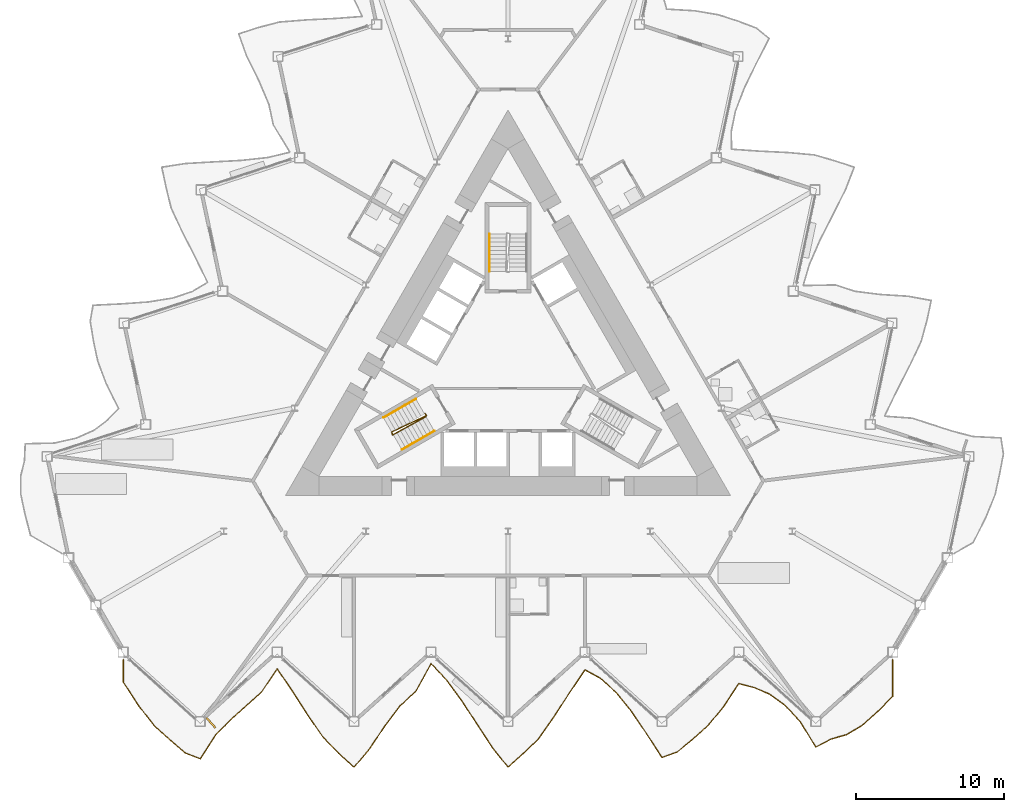
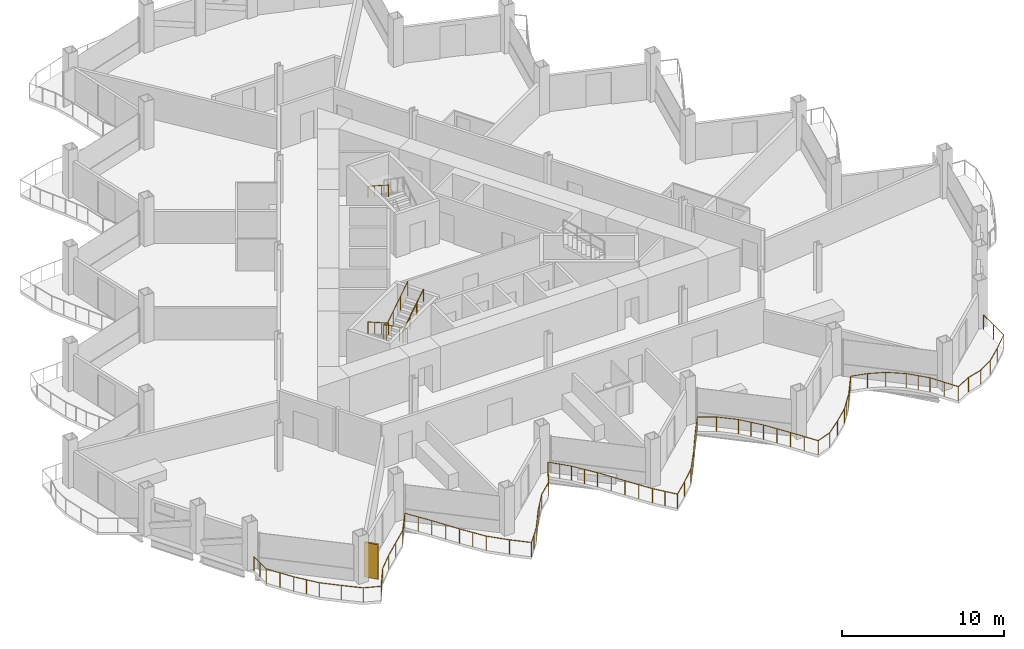
# One storey, part 19 of 24: 5 railings, 1 shading device.
"""IFC4 building model written with IfcOpenShell, lengths in metres."""

from ifc_helpers import new_model, si_unit, direction, frame, origin, origin_2d, place, context, subcontext, project, spatial, rectangle, circle, extrude, material, layer, layer_set, type_object, element, save


model = new_model("IFC4")

# Units and contexts
model_context = context("Model", 3, precision=1e-05, world=origin(), true_north=direction((0.0, 1.0)))
body_context = subcontext(model_context, "Body", "Model", "MODEL_VIEW")
ifc_project = project(units=[si_unit("LENGTHUNIT", "METRE"), si_unit("AREAUNIT", "SQUARE_METRE"), si_unit("VOLUMEUNIT", "CUBIC_METRE"), si_unit("PLANEANGLEUNIT", "RADIAN"), si_unit("MASSUNIT", "GRAM", prefix="KILO")], contexts=[model_context])

# Site, building, storey
site_placement = place(None, origin())
site = spatial("IfcSite", under=ifc_project, at=site_placement, CompositionType="ELEMENT")
building_placement = place(site_placement, origin())
building = spatial("IfcBuilding", under=site, at=building_placement, Name="Cormorant Prow Tower", CompositionType="ELEMENT")
storey_placement = place(building_placement, frame((0.0, 0.0, 270.60009765625)))
storey = spatial("IfcBuildingStorey", under=building, at=storey_placement, Name="L61", CompositionType="ELEMENT", Elevation=270.60009765625)

# Railings
ifc_material_1 = material(Name="Aluminium 6063-T6", Category="aluminium")
railing_type_1 = type_object("IfcRailingType", Name="Balcony guard 1100", PredefinedType="GUARDRAIL", material=ifc_material_1)
railing_1_placement = place(storey_placement, frame((-25.926025390625, -19.7265625, 0.0)))
element("IfcRailing", 1, at=railing_1_placement, inside=storey, type_object=railing_type_1, Name="Balcony guard S", PredefinedType="GUARDRAIL", context=body_context, shape_type="SweptSolid", body=[
    extrude(circle(Radius=0.02392578125, at=origin_2d()), frame((0.0, 0.0, 1.076171875), z_axis=(0.0, -1.0, 0.0), x_axis=(1.0, 0.0, 0.0)), (0.0, 0.0, 1.0), 1.52001953125),
    extrude(circle(Radius=0.02392578125, at=origin_2d()), frame((0.0, -1.52001953125, 1.076171875), z_axis=(0.547541043891, -0.836778826964, 0.0), x_axis=(0.836778826964, 0.547541043891, 0.0)), (0.0, 0.0, 1.0), 1.89404296875),
    extrude(circle(Radius=0.02392578125, at=origin_2d()), frame((1.037109375, -3.10498046875, 1.076171875), z_axis=(0.614110780822, -0.789219835584, 0.0), x_axis=(0.789219835584, 0.614110780822, 0.0)), (0.0, 0.0, 1.0), 1.6884765625),
    extrude(circle(Radius=0.02392578125, at=origin_2d()), frame((2.073974609375, -4.4375, 1.076171875), z_axis=(0.74313755135, -0.669138685008, 0.0), x_axis=(0.669138685008, 0.74313755135, 0.0)), (0.0, 0.0, 1.0), 1.3955078125),
    extrude(circle(Radius=0.02392578125, at=origin_2d()), frame((3.111083984375, -5.371337890625, 1.076171875), z_axis=(0.755213748372, -0.655478599399, 0.0), x_axis=(0.655478599399, 0.755213748372, 0.0)), (0.0, 0.0, 1.0), 1.373291015625),
    extrude(circle(Radius=0.02392578125, at=origin_2d()), frame((4.148193359375, -6.271484375, 1.076171875), z_axis=(0.931262185071, -0.364349753199, 0.0), x_axis=(0.364349753199, 0.931262185071, 0.0)), (0.0, 0.0, 1.0), 1.11376953125),
    extrude(circle(Radius=0.02392578125, at=origin_2d()), frame((5.185302734375, -6.67724609375, 1.076171875), z_axis=(0.542758382766, 0.83988888428, 0.0), x_axis=(-0.83988888428, 0.542758382766, 0.0)), (0.0, 0.0, 1.0), 1.910400390625),
    extrude(circle(Radius=0.02392578125, at=origin_2d()), frame((6.22216796875, -5.07275390625, 1.076171875), z_axis=(0.702213483406, 0.711966448453, 0.0), x_axis=(-0.711966448453, 0.702213483406, 0.0)), (0.0, 0.0, 1.0), 1.476806640625),
    extrude(circle(Radius=0.02392578125, at=origin_2d()), frame((7.25927734375, -4.021240234375, 1.076171875), z_axis=(0.74313755135, 0.669138685008, 0.0), x_axis=(-0.669138685008, 0.74313755135, 0.0)), (0.0, 0.0, 1.0), 1.3955078125),
    extrude(circle(Radius=0.02392578125, at=origin_2d()), frame((8.29638671875, -3.08740234375, 1.076171875), z_axis=(0.743146215582, 0.669129062488, 0.0), x_axis=(-0.669129062488, 0.743146215582, 0.0)), (0.0, 0.0, 1.0), 1.395263671875),
    extrude(circle(Radius=0.02392578125, at=origin_2d()), frame((9.333251953125, -2.15380859375, 1.076171875), z_axis=(0.560288076528, 0.828297815583, 0.0), x_axis=(-0.828297815583, 0.560288076528, 0.0)), (0.0, 0.0, 1.0), 1.85107421875),
    extrude(circle(Radius=0.02392578125, at=origin_2d()), frame((10.370361328125, -0.62060546875, 1.076171875), z_axis=(0.564226721732, -0.825619892253, 0.0), x_axis=(0.825619892253, 0.564226721732, 0.0)), (0.0, 0.0, 1.0), 1.838134765625),
    extrude(circle(Radius=0.02392578125, at=origin_2d()), frame((11.407470703125, -2.13818359375, 1.076171875), z_axis=(0.54151117577, -0.840693550895, 0.0), x_axis=(0.840693550895, 0.54151117577, 0.0)), (0.0, 0.0, 1.0), 1.915283203125),
    extrude(circle(Radius=0.02392578125, at=origin_2d()), frame((12.444580078125, -3.748291015625, 1.076171875), z_axis=(0.567492498185, -0.823378566945, 0.0), x_axis=(0.823378566945, 0.567492498185, 0.0)), (0.0, 0.0, 1.0), 1.8271484375),
    extrude(circle(Radius=0.02392578125, at=origin_2d()), frame((13.4814453125, -5.252685546875, 1.076171875), z_axis=(0.701965595228, -0.712210855798, 0.0), x_axis=(0.712210855798, 0.701965595228, 0.0)), (0.0, 0.0, 1.0), 1.4775390625),
    extrude(circle(Radius=0.02392578125, at=origin_2d()), frame((14.5185546875, -6.304931640625, 1.076171875), z_axis=(0.74313755135, -0.669138685008, 0.0), x_axis=(0.669138685008, 0.74313755135, 0.0)), (0.0, 0.0, 1.0), 1.3955078125),
    extrude(circle(Radius=0.02392578125, at=origin_2d()), frame((15.5556640625, -7.23876953125, 1.076171875), z_axis=(0.647382895173, 0.762164934275, 0.0), x_axis=(-0.762164934275, 0.647382895173, 0.0)), (0.0, 0.0, 1.0), 1.6015625),
    extrude(circle(Radius=0.02392578125, at=origin_2d()), frame((16.592529296875, -6.01806640625, 1.076171875), z_axis=(0.553316739633, 0.832970939254, 0.0), x_axis=(-0.832970939254, 0.553316739633, 0.0)), (0.0, 0.0, 1.0), 1.874267578125),
    extrude(circle(Radius=0.02392578125, at=origin_2d()), frame((17.629638671875, -4.456787109375, 1.076171875), z_axis=(0.60374549144, 0.797177133118, 0.0), x_axis=(-0.797177133118, 0.60374549144, 0.0)), (0.0, 0.0, 1.0), 1.7177734375),
    extrude(circle(Radius=0.02392578125, at=origin_2d()), frame((18.666748046875, -3.08740234375, 1.076171875), z_axis=(0.743146215582, 0.669129062488, 0.0), x_axis=(-0.669129062488, 0.743146215582, 0.0)), (0.0, 0.0, 1.0), 1.395263671875),
    extrude(circle(Radius=0.02392578125, at=origin_2d()), frame((19.70361328125, -2.15380859375, 1.076171875), z_axis=(0.48242873461, 0.875935223645, 0.0), x_axis=(-0.875935223645, 0.48242873461, 0.0)), (0.0, 0.0, 1.0), 2.149658203125),
    extrude(circle(Radius=0.02392578125, at=origin_2d()), frame((20.74072265625, -0.270751953125, 1.076171875), z_axis=(0.688148934059, -0.725569462253, 0.0), x_axis=(0.725569462253, 0.688148934059, 0.0)), (0.0, 0.0, 1.0), 1.507080078125),
    extrude(circle(Radius=0.02392578125, at=origin_2d()), frame((21.77783203125, -1.3642578125, 1.076171875), z_axis=(0.5918105085, -0.806077119157, 0.0), x_axis=(0.806077119157, 0.5918105085, 0.0)), (0.0, 0.0, 1.0), 1.75244140625),
    extrude(circle(Radius=0.02392578125, at=origin_2d()), frame((22.81494140625, -2.77685546875, 1.076171875), z_axis=(0.545859970661, -0.837876418352, 0.0), x_axis=(0.837876418352, 0.545859970661, 0.0)), (0.0, 0.0, 1.0), 1.8994140625),
    extrude(circle(Radius=0.02392578125, at=origin_2d()), frame((23.851806640625, -4.368408203125, 1.076171875), z_axis=(0.549317217459, -0.83561390283, 0.0), x_axis=(0.83561390283, 0.549317217459, 0.0)), (0.0, 0.0, 1.0), 1.887939453125),
    extrude(circle(Radius=0.02392578125, at=origin_2d()), frame((24.888916015625, -5.946044921875, 1.076171875), z_axis=(0.625772329513, -0.780005763835, 0.0), x_axis=(0.780005763835, 0.625772329513, 0.0)), (0.0, 0.0, 1.0), 1.6572265625),
    extrude(circle(Radius=0.02392578125, at=origin_2d()), frame((25.926025390625, -7.23876953125, 1.076171875), z_axis=(0.74313755135, 0.669138685008, 0.0), x_axis=(-0.669138685008, 0.74313755135, 0.0)), (0.0, 0.0, 1.0), 1.3955078125),
    extrude(circle(Radius=0.02392578125, at=origin_2d()), frame((26.963134765625, -6.304931640625, 1.076171875), z_axis=(0.721478951777, 0.692436366854, 0.0), x_axis=(-0.692436366854, 0.721478951777, 0.0)), (0.0, 0.0, 1.0), 1.4375),
    extrude(circle(Radius=0.02392578125, at=origin_2d()), frame((28.000244140625, -5.3095703125, 1.076171875), z_axis=(0.574487760884, 0.818513171912, 0.0), x_axis=(-0.818513171912, 0.574487760884, 0.0)), (0.0, 0.0, 1.0), 1.804931640625),
    extrude(circle(Radius=0.02392578125, at=origin_2d()), frame((29.037109375, -3.832275390625, 1.076171875), z_axis=(0.542150125271, 0.840281644253, 0.0), x_axis=(-0.840281644253, 0.542150125271, 0.0)), (0.0, 0.0, 1.0), 1.912841796875),
    extrude(circle(Radius=0.02392578125, at=origin_2d()), frame((30.07421875, -2.224853515625, 1.076171875), z_axis=(0.558456401722, 0.829533873556, 0.0), x_axis=(-0.829533873556, 0.558456401722, 0.0)), (0.0, 0.0, 1.0), 1.857177734375),
    extrude(circle(Radius=0.02392578125, at=origin_2d()), frame((31.111328125, -0.684326171875, 1.076171875), z_axis=(0.875727979387, -0.482804832327, 0.0), x_axis=(0.482804832327, 0.875727979387, 0.0)), (0.0, 0.0, 1.0), 1.184326171875),
    extrude(circle(Radius=0.02392578125, at=origin_2d()), frame((32.1484375, -1.256103515625, 1.076171875), z_axis=(0.747069541914, -0.664745890957, 0.0), x_axis=(0.664745890957, 0.747069541914, 0.0)), (0.0, 0.0, 1.0), 1.387939453125),
    extrude(circle(Radius=0.02392578125, at=origin_2d()), frame((33.185302734375, -2.1787109375, 1.076171875), z_axis=(0.630614979634, -0.776095836518, 0.0), x_axis=(0.776095836518, 0.630614979634, 0.0)), (0.0, 0.0, 1.0), 1.64453125),
    extrude(circle(Radius=0.02392578125, at=origin_2d()), frame((34.222412109375, -3.455078125, 1.076171875), z_axis=(0.561023343605, -0.82779998063, 0.0), x_axis=(0.82779998063, 0.561023343605, 0.0)), (0.0, 0.0, 1.0), 1.8486328125),
    extrude(circle(Radius=0.02392578125, at=origin_2d()), frame((35.259521484375, -4.9853515625, 1.076171875), z_axis=(0.541653272519, -0.840602005927, 0.0), x_axis=(0.840602005927, 0.541653272519, 0.0)), (0.0, 0.0, 1.0), 1.914306640625),
    extrude(circle(Radius=0.02392578125, at=origin_2d()), frame((36.29638671875, -6.594482421875, 1.076171875), z_axis=(0.939774044394, 0.341796350892, 0.0), x_axis=(-0.341796350892, 0.939774044394, 0.0)), (0.0, 0.0, 1.0), 1.103515625),
    extrude(circle(Radius=0.02392578125, at=origin_2d()), frame((37.33349609375, -6.21728515625, 1.076171875), z_axis=(0.774907342809, 0.6320748453, 0.0), x_axis=(-0.6320748453, 0.774907342809, 0.0)), (0.0, 0.0, 1.0), 1.33837890625),
    extrude(circle(Radius=0.02392578125, at=origin_2d()), frame((38.37060546875, -5.371337890625, 1.076171875), z_axis=(0.743059208084, 0.669225681875, 0.0), x_axis=(-0.669225681875, 0.743059208084, 0.0)), (0.0, 0.0, 1.0), 1.3955078125),
    extrude(circle(Radius=0.02392578125, at=origin_2d()), frame((39.407470703125, -4.4375, 1.076171875), z_axis=(0.635948602471, 0.77173141378, 0.0), x_axis=(-0.77173141378, 0.635948602471, 0.0)), (0.0, 0.0, 1.0), 1.630859375),
    extrude(circle(Radius=0.02392578125, at=origin_2d()), frame((40.444580078125, -3.178955078125, 1.076171875), z_axis=(0.551102441213, 0.834437594605, 0.0), x_axis=(-0.834437594605, 0.551102441213, 0.0)), (0.0, 0.0, 1.0), 1.8818359375),
    extrude(circle(Radius=0.02392578125, at=origin_2d()), frame((41.481689453125, -1.608642578125, 1.076171875), z_axis=(0.967459880376, -0.253024464948, 0.0), x_axis=(0.253024464948, 0.967459880376, 0.0)), (0.0, 0.0, 1.0), 1.072021484375),
    extrude(circle(Radius=0.02392578125, at=origin_2d()), frame((42.518798828125, -1.8798828125, 1.076171875), z_axis=(0.920796597535, -0.390043107833, 0.0), x_axis=(0.390043107833, 0.920796597535, 0.0)), (0.0, 0.0, 1.0), 1.1259765625),
    extrude(circle(Radius=0.02392578125, at=origin_2d()), frame((43.5556640625, -2.319091796875, 1.076171875), z_axis=(0.809501760751, -0.587117449358, 0.0), x_axis=(0.587117449358, 0.809501760751, 0.0)), (0.0, 0.0, 1.0), 1.28125),
    extrude(circle(Radius=0.02392578125, at=origin_2d()), frame((44.5927734375, -3.0712890625, 1.076171875), z_axis=(0.680033456826, -0.733181081041, 0.0), x_axis=(0.733181081041, 0.680033456826, 0.0)), (0.0, 0.0, 1.0), 1.525146484375),
    extrude(circle(Radius=0.02392578125, at=origin_2d()), frame((45.6298828125, -4.189453125, 1.076171875), z_axis=(0.520884337914, -0.853627264394, 0.0), x_axis=(0.853627264394, 0.520884337914, 0.0)), (0.0, 0.0, 1.0), 1.990478515625),
    extrude(circle(Radius=0.02392578125, at=origin_2d()), frame((46.666748046875, -5.888671875, 1.076171875), z_axis=(0.887127885549, 0.461523688104, 0.0), x_axis=(-0.461523688104, 0.887127885549, 0.0)), (0.0, 0.0, 1.0), 1.1689453125),
    extrude(circle(Radius=0.02392578125, at=origin_2d()), frame((47.703857421875, -5.34912109375, 1.076171875), z_axis=(0.961087325706, 0.276244732742, 0.0), x_axis=(-0.276244732742, 0.961087325706, 0.0)), (0.0, 0.0, 1.0), 1.0791015625),
    extrude(circle(Radius=0.02392578125, at=origin_2d()), frame((48.740966796875, -5.051025390625, 1.076171875), z_axis=(0.860676345197, 0.509152461271, 0.0), x_axis=(-0.509152461271, 0.860676345197, 0.0)), (0.0, 0.0, 1.0), 1.205078125),
    extrude(circle(Radius=0.02392578125, at=origin_2d()), frame((49.778076171875, -4.4375, 1.076171875), z_axis=(0.743059208084, 0.669225681875, 0.0), x_axis=(-0.669225681875, 0.743059208084, 0.0)), (0.0, 0.0, 1.0), 1.3955078125),
    extrude(circle(Radius=0.02392578125, at=origin_2d()), frame((50.81494140625, -3.503662109375, 1.076171875), z_axis=(0.711280362901, 0.702908418893, 0.0), x_axis=(-0.702908418893, 0.711280362901, 0.0)), (0.0, 0.0, 1.0), 1.4580078125),
    extrude(circle(Radius=0.02392578125, at=origin_2d()), frame((51.85205078125, -2.478759765625, 1.076171875), z_axis=(0.0, 1.0, 0.0), x_axis=(-1.0, 0.0, 0.0)), (0.0, 0.0, 1.0), 2.478759765625),
    extrude(circle(Radius=0.02099609375, at=origin_2d()), origin(), (0.0, 0.0, 1.0), 1.052001953125),
    extrude(circle(Radius=0.02099609375, at=origin_2d()), frame((0.0, -0.760009765625, 0.0)), (0.0, 0.0, 1.0), 1.052001953125),
    extrude(circle(Radius=0.02099609375, at=origin_2d()), frame((0.0, -1.52001953125, 0.0)), (0.0, 0.0, 1.0), 1.052001953125),
    extrude(circle(Radius=0.02099609375, at=origin_2d()), frame((0.5185546875, -2.3125, 0.0)), (0.0, 0.0, 1.0), 1.052001953125),
    extrude(circle(Radius=0.02099609375, at=origin_2d()), frame((1.037109375, -3.10498046875, 0.0)), (0.0, 0.0, 1.0), 1.052001953125),
    extrude(circle(Radius=0.02099609375, at=origin_2d()), frame((1.5556640625, -3.771240234375, 0.0)), (0.0, 0.0, 1.0), 1.052001953125),
    extrude(circle(Radius=0.02099609375, at=origin_2d()), frame((2.073974609375, -4.4375, 0.0)), (0.0, 0.0, 1.0), 1.052001953125),
    extrude(circle(Radius=0.02099609375, at=origin_2d()), frame((3.111083984375, -5.371337890625, 0.0)), (0.0, 0.0, 1.0), 1.052001953125),
    extrude(circle(Radius=0.02099609375, at=origin_2d()), frame((4.148193359375, -6.271484375, 0.0)), (0.0, 0.0, 1.0), 1.052001953125),
    extrude(circle(Radius=0.02099609375, at=origin_2d()), frame((5.185302734375, -6.67724609375, 0.0)), (0.0, 0.0, 1.0), 1.052001953125),
    extrude(circle(Radius=0.02099609375, at=origin_2d()), frame((5.70361328125, -5.875, 0.0)), (0.0, 0.0, 1.0), 1.052001953125),
    extrude(circle(Radius=0.02099609375, at=origin_2d()), frame((6.22216796875, -5.07275390625, 0.0)), (0.0, 0.0, 1.0), 1.052001953125),
    extrude(circle(Radius=0.02099609375, at=origin_2d()), frame((7.25927734375, -4.021240234375, 0.0)), (0.0, 0.0, 1.0), 1.052001953125),
    extrude(circle(Radius=0.02099609375, at=origin_2d()), frame((8.29638671875, -3.08740234375, 0.0)), (0.0, 0.0, 1.0), 1.052001953125),
    extrude(circle(Radius=0.02099609375, at=origin_2d()), frame((9.333251953125, -2.15380859375, 0.0)), (0.0, 0.0, 1.0), 1.052001953125),
    extrude(circle(Radius=0.02099609375, at=origin_2d()), frame((9.851806640625, -1.38720703125, 0.0)), (0.0, 0.0, 1.0), 1.052001953125),
    extrude(circle(Radius=0.02099609375, at=origin_2d()), frame((10.370361328125, -0.62060546875, 0.0)), (0.0, 0.0, 1.0), 1.052001953125),
    extrude(circle(Radius=0.02099609375, at=origin_2d()), frame((10.888916015625, -1.37939453125, 0.0)), (0.0, 0.0, 1.0), 1.052001953125),
    extrude(circle(Radius=0.02099609375, at=origin_2d()), frame((11.407470703125, -2.13818359375, 0.0)), (0.0, 0.0, 1.0), 1.052001953125),
    extrude(circle(Radius=0.02099609375, at=origin_2d()), frame((11.926025390625, -2.943359375, 0.0)), (0.0, 0.0, 1.0), 1.052001953125),
    extrude(circle(Radius=0.02099609375, at=origin_2d()), frame((12.444580078125, -3.748291015625, 0.0)), (0.0, 0.0, 1.0), 1.052001953125),
    extrude(circle(Radius=0.02099609375, at=origin_2d()), frame((12.962890625, -4.50048828125, 0.0)), (0.0, 0.0, 1.0), 1.052001953125),
    extrude(circle(Radius=0.02099609375, at=origin_2d()), frame((13.4814453125, -5.252685546875, 0.0)), (0.0, 0.0, 1.0), 1.052001953125),
    extrude(circle(Radius=0.02099609375, at=origin_2d()), frame((14.5185546875, -6.304931640625, 0.0)), (0.0, 0.0, 1.0), 1.052001953125),
    extrude(circle(Radius=0.02099609375, at=origin_2d()), frame((15.5556640625, -7.23876953125, 0.0)), (0.0, 0.0, 1.0), 1.052001953125),
    extrude(circle(Radius=0.02099609375, at=origin_2d()), frame((16.07421875, -6.62841796875, 0.0)), (0.0, 0.0, 1.0), 1.052001953125),
    extrude(circle(Radius=0.02099609375, at=origin_2d()), frame((16.592529296875, -6.01806640625, 0.0)), (0.0, 0.0, 1.0), 1.052001953125),
    extrude(circle(Radius=0.02099609375, at=origin_2d()), frame((17.111083984375, -5.2373046875, 0.0)), (0.0, 0.0, 1.0), 1.052001953125),
    extrude(circle(Radius=0.02099609375, at=origin_2d()), frame((17.629638671875, -4.456787109375, 0.0)), (0.0, 0.0, 1.0), 1.052001953125),
    extrude(circle(Radius=0.02099609375, at=origin_2d()), frame((18.148193359375, -3.77197265625, 0.0)), (0.0, 0.0, 1.0), 1.052001953125),
    extrude(circle(Radius=0.02099609375, at=origin_2d()), frame((18.666748046875, -3.08740234375, 0.0)), (0.0, 0.0, 1.0), 1.052001953125),
    extrude(circle(Radius=0.02099609375, at=origin_2d()), frame((19.70361328125, -2.15380859375, 0.0)), (0.0, 0.0, 1.0), 1.052001953125),
    extrude(circle(Radius=0.02099609375, at=origin_2d()), frame((20.22216796875, -1.21240234375, 0.0)), (0.0, 0.0, 1.0), 1.052001953125),
    extrude(circle(Radius=0.02099609375, at=origin_2d()), frame((20.74072265625, -0.270751953125, 0.0)), (0.0, 0.0, 1.0), 1.052001953125),
    extrude(circle(Radius=0.02099609375, at=origin_2d()), frame((21.25927734375, -0.8173828125, 0.0)), (0.0, 0.0, 1.0), 1.052001953125),
    extrude(circle(Radius=0.02099609375, at=origin_2d()), frame((21.77783203125, -1.3642578125, 0.0)), (0.0, 0.0, 1.0), 1.052001953125),
    extrude(circle(Radius=0.02099609375, at=origin_2d()), frame((22.29638671875, -2.070556640625, 0.0)), (0.0, 0.0, 1.0), 1.052001953125),
    extrude(circle(Radius=0.02099609375, at=origin_2d()), frame((22.81494140625, -2.77685546875, 0.0)), (0.0, 0.0, 1.0), 1.052001953125),
    extrude(circle(Radius=0.02099609375, at=origin_2d()), frame((23.33349609375, -3.57275390625, 0.0)), (0.0, 0.0, 1.0), 1.052001953125),
    extrude(circle(Radius=0.02099609375, at=origin_2d()), frame((23.851806640625, -4.368408203125, 0.0)), (0.0, 0.0, 1.0), 1.052001953125),
    extrude(circle(Radius=0.02099609375, at=origin_2d()), frame((24.370361328125, -5.1572265625, 0.0)), (0.0, 0.0, 1.0), 1.052001953125),
    extrude(circle(Radius=0.02099609375, at=origin_2d()), frame((24.888916015625, -5.946044921875, 0.0)), (0.0, 0.0, 1.0), 1.052001953125),
    extrude(circle(Radius=0.02099609375, at=origin_2d()), frame((25.407470703125, -6.59228515625, 0.0)), (0.0, 0.0, 1.0), 1.052001953125),
    extrude(circle(Radius=0.02099609375, at=origin_2d()), frame((25.926025390625, -7.23876953125, 0.0)), (0.0, 0.0, 1.0), 1.052001953125),
    extrude(circle(Radius=0.02099609375, at=origin_2d()), frame((26.963134765625, -6.304931640625, 0.0)), (0.0, 0.0, 1.0), 1.052001953125),
    extrude(circle(Radius=0.02099609375, at=origin_2d()), frame((28.000244140625, -5.3095703125, 0.0)), (0.0, 0.0, 1.0), 1.052001953125),
    extrude(circle(Radius=0.02099609375, at=origin_2d()), frame((28.5185546875, -4.57080078125, 0.0)), (0.0, 0.0, 1.0), 1.052001953125),
    extrude(circle(Radius=0.02099609375, at=origin_2d()), frame((29.037109375, -3.832275390625, 0.0)), (0.0, 0.0, 1.0), 1.052001953125),
    extrude(circle(Radius=0.02099609375, at=origin_2d()), frame((29.5556640625, -3.028564453125, 0.0)), (0.0, 0.0, 1.0), 1.052001953125),
    extrude(circle(Radius=0.02099609375, at=origin_2d()), frame((30.07421875, -2.224853515625, 0.0)), (0.0, 0.0, 1.0), 1.052001953125),
    extrude(circle(Radius=0.02099609375, at=origin_2d()), frame((30.5927734375, -1.45458984375, 0.0)), (0.0, 0.0, 1.0), 1.052001953125),
    extrude(circle(Radius=0.02099609375, at=origin_2d()), frame((31.111328125, -0.684326171875, 0.0)), (0.0, 0.0, 1.0), 1.052001953125),
    extrude(circle(Radius=0.02099609375, at=origin_2d()), frame((32.1484375, -1.256103515625, 0.0)), (0.0, 0.0, 1.0), 1.052001953125),
    extrude(circle(Radius=0.02099609375, at=origin_2d()), frame((33.185302734375, -2.1787109375, 0.0)), (0.0, 0.0, 1.0), 1.052001953125),
    extrude(circle(Radius=0.02099609375, at=origin_2d()), frame((33.703857421875, -2.81689453125, 0.0)), (0.0, 0.0, 1.0), 1.052001953125),
    extrude(circle(Radius=0.02099609375, at=origin_2d()), frame((34.222412109375, -3.455078125, 0.0)), (0.0, 0.0, 1.0), 1.052001953125),
    extrude(circle(Radius=0.02099609375, at=origin_2d()), frame((34.740966796875, -4.22021484375, 0.0)), (0.0, 0.0, 1.0), 1.052001953125),
    extrude(circle(Radius=0.02099609375, at=origin_2d()), frame((35.259521484375, -4.9853515625, 0.0)), (0.0, 0.0, 1.0), 1.052001953125),
    extrude(circle(Radius=0.02099609375, at=origin_2d()), frame((35.77783203125, -5.7900390625, 0.0)), (0.0, 0.0, 1.0), 1.052001953125),
    extrude(circle(Radius=0.02099609375, at=origin_2d()), frame((36.29638671875, -6.594482421875, 0.0)), (0.0, 0.0, 1.0), 1.052001953125),
    extrude(circle(Radius=0.02099609375, at=origin_2d()), frame((37.33349609375, -6.21728515625, 0.0)), (0.0, 0.0, 1.0), 1.052001953125),
    extrude(circle(Radius=0.02099609375, at=origin_2d()), frame((38.37060546875, -5.371337890625, 0.0)), (0.0, 0.0, 1.0), 1.052001953125),
    extrude(circle(Radius=0.02099609375, at=origin_2d()), frame((39.407470703125, -4.4375, 0.0)), (0.0, 0.0, 1.0), 1.052001953125),
    extrude(circle(Radius=0.02099609375, at=origin_2d()), frame((39.926025390625, -3.80810546875, 0.0)), (0.0, 0.0, 1.0), 1.052001953125),
    extrude(circle(Radius=0.02099609375, at=origin_2d()), frame((40.444580078125, -3.178955078125, 0.0)), (0.0, 0.0, 1.0), 1.052001953125),
    extrude(circle(Radius=0.02099609375, at=origin_2d()), frame((40.963134765625, -2.393798828125, 0.0)), (0.0, 0.0, 1.0), 1.052001953125),
    extrude(circle(Radius=0.02099609375, at=origin_2d()), frame((41.481689453125, -1.608642578125, 0.0)), (0.0, 0.0, 1.0), 1.052001953125),
    extrude(circle(Radius=0.02099609375, at=origin_2d()), frame((42.518798828125, -1.8798828125, 0.0)), (0.0, 0.0, 1.0), 1.052001953125),
    extrude(circle(Radius=0.02099609375, at=origin_2d()), frame((43.5556640625, -2.319091796875, 0.0)), (0.0, 0.0, 1.0), 1.052001953125),
    extrude(circle(Radius=0.02099609375, at=origin_2d()), frame((44.5927734375, -3.0712890625, 0.0)), (0.0, 0.0, 1.0), 1.052001953125),
    extrude(circle(Radius=0.02099609375, at=origin_2d()), frame((45.111328125, -3.63037109375, 0.0)), (0.0, 0.0, 1.0), 1.052001953125),
    extrude(circle(Radius=0.02099609375, at=origin_2d()), frame((45.6298828125, -4.189453125, 0.0)), (0.0, 0.0, 1.0), 1.052001953125),
    extrude(circle(Radius=0.02099609375, at=origin_2d()), frame((46.1484375, -5.0390625, 0.0)), (0.0, 0.0, 1.0), 1.052001953125),
    extrude(circle(Radius=0.02099609375, at=origin_2d()), frame((46.666748046875, -5.888671875, 0.0)), (0.0, 0.0, 1.0), 1.052001953125),
    extrude(circle(Radius=0.02099609375, at=origin_2d()), frame((47.703857421875, -5.34912109375, 0.0)), (0.0, 0.0, 1.0), 1.052001953125),
    extrude(circle(Radius=0.02099609375, at=origin_2d()), frame((48.740966796875, -5.051025390625, 0.0)), (0.0, 0.0, 1.0), 1.052001953125),
    extrude(circle(Radius=0.02099609375, at=origin_2d()), frame((49.778076171875, -4.4375, 0.0)), (0.0, 0.0, 1.0), 1.052001953125),
    extrude(circle(Radius=0.02099609375, at=origin_2d()), frame((50.81494140625, -3.503662109375, 0.0)), (0.0, 0.0, 1.0), 1.052001953125),
    extrude(circle(Radius=0.02099609375, at=origin_2d()), frame((51.85205078125, -2.478759765625, 0.0)), (0.0, 0.0, 1.0), 1.052001953125),
    extrude(circle(Radius=0.02099609375, at=origin_2d()), frame((51.85205078125, -1.2392578125, 0.0)), (0.0, 0.0, 1.0), 1.052001953125),
    extrude(circle(Radius=0.02099609375, at=origin_2d()), frame((51.85205078125, 0.0, 0.0)), (0.0, 0.0, 1.0), 1.052001953125),
])
ifc_material_2 = material(Name="Stainless steel", Category="steel")
railing_type_2 = type_object("IfcRailingType", Name="Stair guard 1100", PredefinedType="GUARDRAIL", material=ifc_material_2)
railing_2_placement = place(storey_placement, frame((-5.585205078125, -3.137939453125, 0.0)))
element("IfcRailing", 2, at=railing_2_placement, inside=storey, type_object=railing_type_2, Name="L61 ST1 stair guard 1", PredefinedType="GUARDRAIL", context=body_context, shape_type="SweptSolid", body=[
    extrude(circle(Radius=0.02392578125, at=origin_2d()), frame((0.0, 0.0, 1.076171875), z_axis=(0.501036270542, -0.865426285481, 0.0), x_axis=(0.865426285481, 0.501036270542, 0.0)), (0.0, 0.0, 1.0), 0.150146484375),
    extrude(circle(Radius=0.02392578125, at=origin_2d()), frame((0.0751953125, -0.1298828125, 1.076171875), z_axis=(-0.739739923809, -0.353640102144, 0.572471416997), x_axis=(0.431308035802, -0.902204731895, 0.0)), (0.0, 0.0, 1.0), 3.143798828125),
    extrude(circle(Radius=0.02392578125, at=origin_2d()), frame((-2.25048828125, -1.24169921875, 2.8759765625), z_axis=(0.274721127897, -0.961523947641, 0.0), x_axis=(0.961523947641, 0.274721127897, 0.0)), (0.0, 0.0, 1.0), 0.2060546875),
    extrude(circle(Radius=0.02392578125, at=origin_2d()), frame((-2.19384765625, -1.43994140625, 2.8759765625), z_axis=(0.717223475266, 0.39568267656, 0.573607623727), x_axis=(-0.483052234887, 0.87559153626, 0.0)), (0.0, 0.0, 1.0), 3.13818359375),
    extrude(circle(Radius=0.02099609375, at=origin_2d()), origin(), (0.0, 0.0, 1.0), 1.052001953125),
    extrude(circle(Radius=0.02099609375, at=origin_2d()), frame((0.0751953125, -0.1298828125, 0.0)), (0.0, 0.0, 1.0), 1.052001953125),
    extrude(circle(Radius=0.02099609375, at=origin_2d()), frame((-0.699951171875, -0.50048828125, 0.599853515625)), (0.0, 0.0, 1.0), 1.052001953125),
    extrude(circle(Radius=0.02099609375, at=origin_2d()), frame((-1.475341796875, -0.87109375, 1.199951171875)), (0.0, 0.0, 1.0), 1.052001953125),
    extrude(circle(Radius=0.02099609375, at=origin_2d()), frame((-2.25048828125, -1.24169921875, 1.7998046875)), (0.0, 0.0, 1.0), 1.052001953125),
    extrude(circle(Radius=0.02099609375, at=origin_2d()), frame((-2.19384765625, -1.43994140625, 1.7998046875)), (0.0, 0.0, 1.0), 1.052001953125),
    extrude(circle(Radius=0.02099609375, at=origin_2d()), frame((-1.443603515625, -1.026123046875, 2.39990234375)), (0.0, 0.0, 1.0), 1.052001953125),
    extrude(circle(Radius=0.02099609375, at=origin_2d()), frame((-0.693359375, -0.612060546875, 2.999755859375)), (0.0, 0.0, 1.0), 1.052001953125),
    extrude(circle(Radius=0.02099609375, at=origin_2d()), frame((0.056884765625, -0.1982421875, 3.599853515625)), (0.0, 0.0, 1.0), 1.052001953125),
])
ifc_material_3 = material(Name="Stainless steel", Category="steel")
railing_type_3 = type_object("IfcRailingType", Name="Stair handrail 900", PredefinedType="HANDRAIL", material=ifc_material_3)
railing_3_placement = place(storey_placement, frame((-6.212890625, -2.150634765625, 0.179931640625)))
element("IfcRailing", 3, at=railing_3_placement, inside=storey, type_object=railing_type_3, Name="L61 ST1 stair handrail 1", PredefinedType="HANDRAIL", context=body_context, shape_type="SweptSolid", body=[
    extrude(circle(Radius=0.02392578125, at=origin_2d()), frame((0.0, 0.0, 0.8759765625), z_axis=(-0.72849590497, -0.42060268101, 0.54072830624), x_axis=(0.500004791531, -0.866022637375, 0.0)), (0.0, 0.0, 1.0), 2.99560546875),
    extrude(circle(Radius=0.02099609375, at=origin_2d()), origin(), (0.0, 0.0, 1.0), 0.851806640625),
    extrude(circle(Radius=0.02099609375, at=origin_2d()), frame((-0.7275390625, -0.419921875, 0.5400390625)), (0.0, 0.0, 1.0), 0.851806640625),
    extrude(circle(Radius=0.02099609375, at=origin_2d()), frame((-1.454833984375, -0.840087890625, 1.079833984375)), (0.0, 0.0, 1.0), 0.851806640625),
    extrude(circle(Radius=0.02099609375, at=origin_2d()), frame((-2.182373046875, -1.260009765625, 1.619873046875)), (0.0, 0.0, 1.0), 0.851806640625),
])
railing_4_placement = place(storey_placement, frame((-7.1513671875, -5.565185546875, 1.97998046875)))
element("IfcRailing", 4, at=railing_4_placement, inside=storey, type_object=railing_type_3, Name="L61 ST1 stair handrail 2", PredefinedType="HANDRAIL", context=body_context, shape_type="SweptSolid", body=[
    extrude(circle(Radius=0.02392578125, at=origin_2d()), frame((0.0, 0.0, 0.8759765625), z_axis=(0.72849590497, 0.42060268101, 0.54072830624), x_axis=(-0.500004791531, 0.866022637375, 0.0)), (0.0, 0.0, 1.0), 2.99560546875),
    extrude(circle(Radius=0.02099609375, at=origin_2d()), origin(), (0.0, 0.0, 1.0), 0.851806640625),
    extrude(circle(Radius=0.02099609375, at=origin_2d()), frame((0.7275390625, 0.419921875, 0.5400390625)), (0.0, 0.0, 1.0), 0.851806640625),
    extrude(circle(Radius=0.02099609375, at=origin_2d()), frame((1.454833984375, 0.840087890625, 1.079833984375)), (0.0, 0.0, 1.0), 0.851806640625),
    extrude(circle(Radius=0.02099609375, at=origin_2d()), frame((2.182373046875, 1.260009765625, 1.619873046875)), (0.0, 0.0, 1.0), 0.851806640625),
])
railing_5_placement = place(storey_placement, frame((-1.243896484375, 8.975830078125, 1.97998046875)))
element("IfcRailing", 5, at=railing_5_placement, inside=storey, type_object=railing_type_3, Name="L61 ST3 stair handrail 2", PredefinedType="HANDRAIL", context=body_context, shape_type="SweptSolid", body=[
    extrude(circle(Radius=0.02392578125, at=origin_2d()), frame((0.0, 0.0, 0.8759765625), z_axis=(0.0, -0.841199657755, 0.540724639528), x_axis=(1.0, 0.0, 0.0)), (0.0, 0.0, 1.0), 2.995849609375),
    extrude(circle(Radius=0.02099609375, at=origin_2d()), origin(), (0.0, 0.0, 1.0), 0.851806640625),
    extrude(circle(Radius=0.02099609375, at=origin_2d()), frame((0.0, -0.840087890625, 0.5400390625)), (0.0, 0.0, 1.0), 0.851806640625),
    extrude(circle(Radius=0.02099609375, at=origin_2d()), frame((0.0, -1.679931640625, 1.079833984375)), (0.0, 0.0, 1.0), 0.851806640625),
    extrude(circle(Radius=0.02099609375, at=origin_2d()), frame((0.0, -2.52001953125, 1.619873046875)), (0.0, 0.0, 1.0), 0.851806640625),
])

# Shading device
ifc_material_4 = material(Name="Terracotta", Category="masonry")
ifc_layer = layer(ifc_material_4, 0.1201171875)
ifc_layer_set = layer_set([ifc_layer], Name="Terracotta")
shading_device_type = type_object("IfcShadingDeviceType", Name="Terracotta baguette fin 120x900x2600", PredefinedType="USERDEFINED", material=ifc_layer_set)
shading_device_placement = place(storey_placement, frame((-20.02294921875, -23.974365234375, -0.000244140625), z_axis=(0.0, 0.0, 1.0), x_axis=(0.743144822266, 0.669130609926, 0.0)))
element("IfcShadingDevice", 6, at=shading_device_placement, inside=storey, type_object=shading_device_type, Name="Baguette fin S01", ObjectType="BAGUETTE", PredefinedType="USERDEFINED", context=body_context, shape_type="SweptSolid", body=[
    extrude(rectangle(XDim=0.1201171875, YDim=0.89990234375, at=origin_2d()), origin(), (0.0, 0.0, 1.0), 2.60009765625),
])

save(model, "model.ifc")
